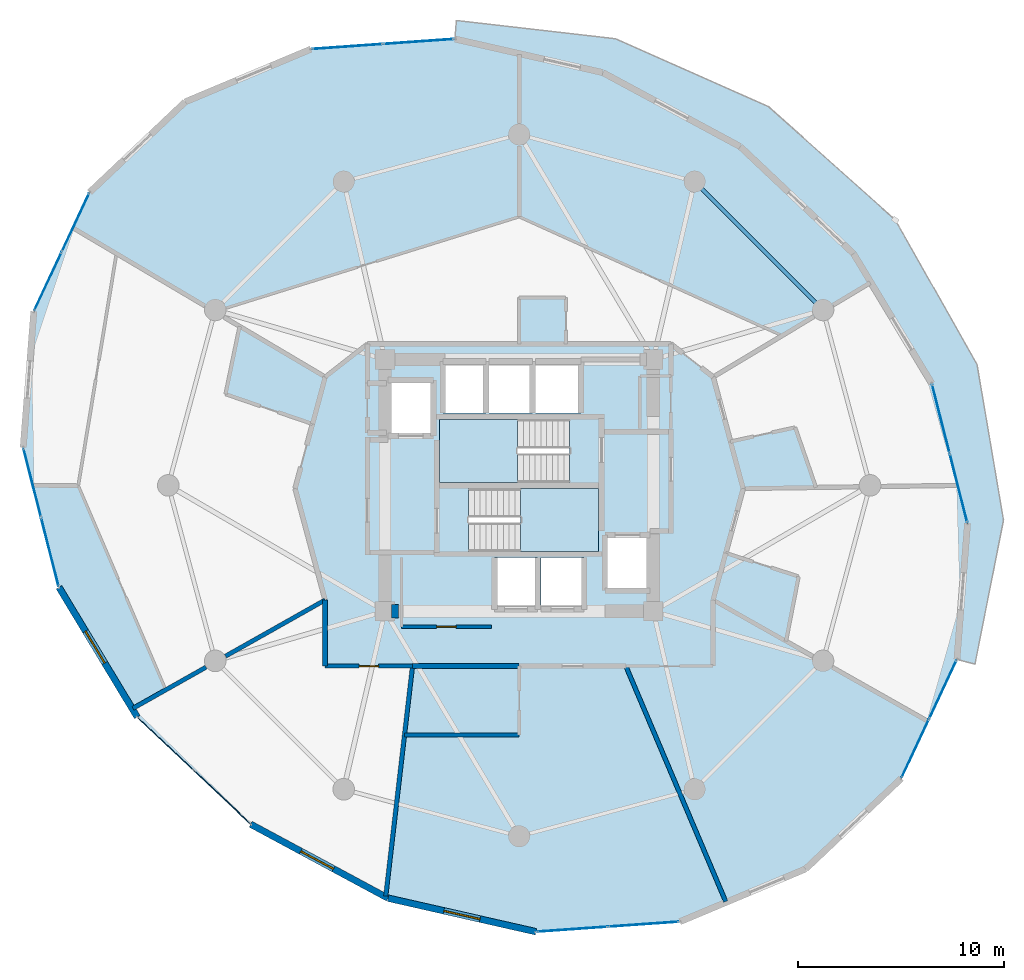
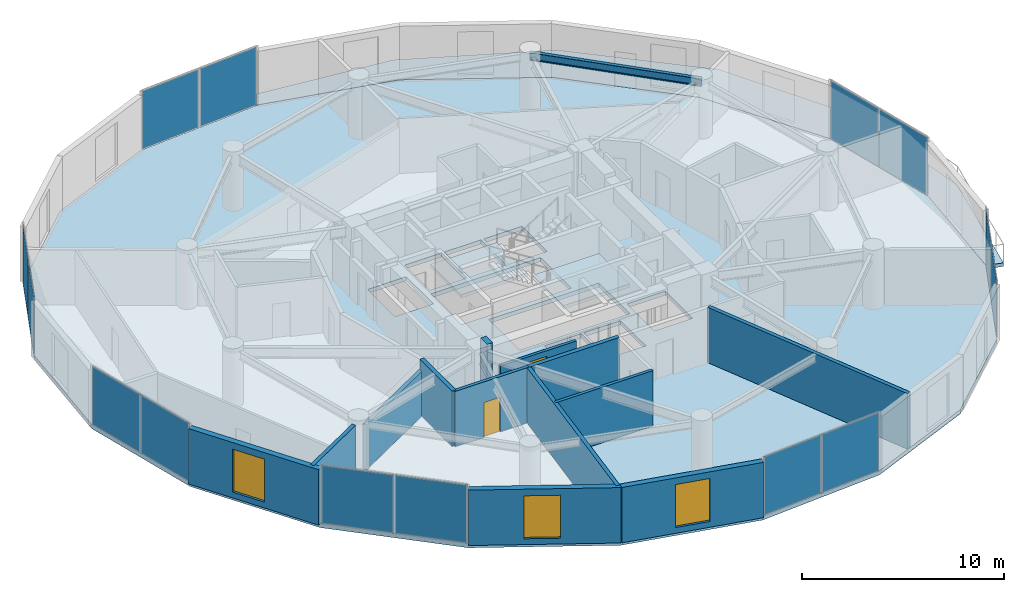
# One storey, part 19 of 25: 14 plates, 13 walls, 4 slabs, 3 windows, 2 doors, 1 beam, 5 openings, 9 elements without a shape of their own.
"""IFC4 building model written with IfcOpenShell, lengths in metres."""

from ifc_helpers import new_model, si_unit, direction, frame, frame_2d, origin, origin_2d, place, context, subcontext, project, spatial, polyline, rectangle, i_section, outline, extrude, source, transform, mapped, material, layer, layer_set, material_profile, profile_set, type_object, element, fill, aggregate, save


model = new_model("IFC4")

# Units and contexts
model_context = context("Model", 3, precision=1e-05, world=origin(), true_north=direction((0.0, 1.0)))
body_context = subcontext(model_context, "Body", "Model", "MODEL_VIEW")
ifc_project = project(units=[si_unit("LENGTHUNIT", "METRE"), si_unit("AREAUNIT", "SQUARE_METRE"), si_unit("VOLUMEUNIT", "CUBIC_METRE"), si_unit("PLANEANGLEUNIT", "RADIAN"), si_unit("MASSUNIT", "GRAM", prefix="KILO")], contexts=[model_context])

# Site, building, storey
site_placement = place(None, origin())
site = spatial("IfcSite", under=ifc_project, at=site_placement, CompositionType="ELEMENT")
building_placement = place(site_placement, origin())
building = spatial("IfcBuilding", under=site, at=building_placement, Name="Solvirekh Grand Hotel", CompositionType="ELEMENT")
storey_placement = place(building_placement, frame((0.0, 0.0, 120.60009765625)))
storey = spatial("IfcBuildingStorey", under=building, at=storey_placement, Name="L30", CompositionType="ELEMENT", Elevation=120.60009765625)

# Beam
ifc_material_1 = material(Name="Steel S355", Category="steel")
ifc_material_profile = material_profile(ifc_material_1, i_section(OverallWidth=0.18994140625, OverallDepth=0.45703125, WebThickness=0.009033203125, FlangeThickness=0.013916015625, FilletRadius=0.012939453125, at=origin_2d()), Name="W460X74")
ifc_profile_set = profile_set([ifc_material_profile], Name="Steel S355")
beam_type = type_object("IfcBeamType", Name="Spandrel_Ring_W460", PredefinedType="SPANDREL", material=ifc_profile_set)
beam_placement = place(storey_placement, frame((14.721923828125, 8.5, 3.121826171875), z_axis=(-0.707106781187, 0.707106781187, 0.0), x_axis=(-0.707106781187, -0.707106781187, 0.0)))
element("IfcBeam", 1, at=beam_placement, inside=storey, type_object=beam_type, Name="L30 perimeter spandrel beam 2", PredefinedType="SPANDREL", context=body_context, shape_type="SweptSolid", body=[
    extrude(i_section(OverallWidth=0.18994140625, OverallDepth=0.45703125, WebThickness=0.009033203125, FlangeThickness=0.013916015625, FilletRadius=0.012939453125, at=origin_2d()), origin(), (0.0, 0.0, 1.0), 8.799072265625),
])

# Slab
ifc_material_2 = material(Name="Concrete C50/60", Category="concrete")
ifc_layer_1 = layer(ifc_material_2, 0.215087890625)
ifc_layer_set_1 = layer_set([ifc_layer_1], Name="Concrete C50/60")
slab_type_1 = type_object("IfcSlabType", Name="ExtCrescentBalc_215", PredefinedType="FLOOR", material=ifc_layer_set_1)
slab_1_placement = place(storey_placement, frame((0.0, 0.0, -0.215087890625)))
element("IfcSlab", 2, at=slab_1_placement, inside=storey, type_object=slab_type_1, Name="L30 sweeping crescent balcony slab", PredefinedType="FLOOR", context=body_context, shape_type="SweptSolid", body=[
    extrude(outline(polyline([(22.0810546875, -8.657958984375), (23.466064453125, -1.679931640625), (22.181884765625, 5.85791015625), (18.221923828125, 12.860107421875), (12.095947265625, 18.339111328125), (4.6689453125, 21.637939453125), (-3.0400390625, 22.52392578125), (-3.113037109375, 21.626953125), (4.052001953125, 20.0), (10.70703125, 16.416015625), (16.200927734375, 11.22509765625), (19.9970703125, 4.93505859375), (21.722900390625, -1.837890625), (21.2099609375, -8.430908203125), (22.0810546875, -8.657958984375)])), origin(), (0.0, 0.0, 1.0), 0.215087890625),
])

# Stair, slab
ifc_material_3 = material(Name="Concrete C40/50", Category="concrete")
stair_type = type_object("IfcStairType", Name="Stair_Core_1450", PredefinedType="HALF_TURN_STAIR", material=ifc_material_3)
stair_1_placement = place(storey_placement, origin())
stair_1 = element("IfcStair", 3, at=stair_1_placement, inside=storey, type_object=stair_type, Name="L30 Enclosed exit stair ST-1", PredefinedType="HALF_TURN_STAIR")
ifc_layer_2 = layer(ifc_material_3, 0.199951171875)
ifc_layer_set_2 = layer_set([ifc_layer_2], Name="Concrete C40/50")
slab_type_2 = type_object("IfcSlabType", Name="Landing_Stair_200", PredefinedType="LANDING", material=ifc_layer_set_2)
slab_2_placement = place(storey_placement, frame((0.0, 0.0, 1.599853515625)))
slab_2 = element("IfcSlab", 4, at=slab_2_placement, type_object=slab_type_2, Name="ST-1 landing 1", PredefinedType="LANDING", context=body_context, shape_type="SweptSolid", body=[
    extrude(outline(polyline([(0.070068359375, -3.199951171875), (3.85009765625, -3.199951171875), (3.85009765625, -0.14990234375), (0.070068359375, -0.14990234375), (0.070068359375, -3.199951171875)])), origin(), (0.0, 0.0, 1.0), 0.199951171875),
])
aggregate(stair_1, [slab_2])

stair_2_placement = place(storey_placement, origin())
stair_2 = element("IfcStair", 5, at=stair_2_placement, inside=storey, type_object=stair_type, Name="L30 Enclosed exit stair ST-2", PredefinedType="HALF_TURN_STAIR")
slab_3_placement = place(storey_placement, frame((0.0, 0.0, 1.599853515625)))
slab_3 = element("IfcSlab", 6, at=slab_3_placement, type_object=slab_type_2, Name="ST-2 landing 1", PredefinedType="LANDING", context=body_context, shape_type="SweptSolid", body=[
    extrude(outline(polyline([(-0.070068359375, 3.199951171875), (-3.85009765625, 3.199951171875), (-3.85009765625, 0.14990234375), (-0.070068359375, 0.14990234375), (-0.070068359375, 3.199951171875)])), origin(), (0.0, 0.0, 1.0), 0.199951171875),
])
aggregate(stair_2, [slab_3])

# Slab
ifc_layer_3 = layer(ifc_material_2, 0.25)
ifc_layer_set_3 = layer_set([ifc_layer_3], Name="Concrete C50/60")
slab_type_3 = type_object("IfcSlabType", Name="Slab_GuestZ2_250", PredefinedType="FLOOR", material=ifc_layer_set_3)
slab_4_placement = place(storey_placement, frame((0.0, 0.0, -0.25)))
element("IfcSlab", 7, at=slab_4_placement, inside=storey, type_object=slab_type_3, Name="L30 structural floor slab", PredefinedType="FLOOR", context=body_context, shape_type="SweptSolid", body=[
    extrude(outline(polyline([(18.508056640625, -14.198974609375), (21.2099609375, -8.430908203125), (21.722900390625, -1.837890625), (19.9970703125, 4.93505859375), (16.200927734375, 11.22509765625), (10.70703125, 16.416015625), (4.052001953125, 20.0), (-3.113037109375, 21.626953125), (-10.0849609375, 21.135986328125), (-16.181884765625, 18.576904296875), (-20.80810546875, 14.198974609375), (-23.510009765625, 8.430908203125), (-24.02294921875, 1.837890625), (-22.297119140625, -4.93505859375), (-18.5009765625, -11.22509765625), (-13.007080078125, -16.416015625), (-6.35205078125, -20.0), (0.81298828125, -21.626953125), (7.784912109375, -21.135986328125), (13.882080078125, -18.576904296875), (18.508056640625, -14.198974609375)]), holes=[polyline([(-2.444091796875, -0.14990234375), (3.85009765625, -0.14990234375), (3.85009765625, -3.199951171875), (-2.444091796875, -3.199951171875), (-2.444091796875, -0.14990234375)]), polyline([(2.444091796875, 0.14990234375), (-3.85009765625, 0.14990234375), (-3.85009765625, 3.199951171875), (2.444091796875, 3.199951171875), (2.444091796875, 0.14990234375)]), polyline([(-1.199951171875, -3.5), (0.89990234375, -3.5), (0.89990234375, -6.0), (-1.199951171875, -6.0), (-1.199951171875, -3.5)]), polyline([(1.050048828125, -3.5), (3.14990234375, -3.5), (3.14990234375, -6.0), (1.050048828125, -6.0), (1.050048828125, -3.5)]), polyline([(-3.699951171875, 6.0), (-1.60009765625, 6.0), (-1.60009765625, 3.5), (-3.699951171875, 3.5), (-3.699951171875, 6.0)]), polyline([(-1.449951171875, 6.0), (0.64990234375, 6.0), (0.64990234375, 3.5), (-1.449951171875, 3.5), (-1.449951171875, 6.0)]), polyline([(0.800048828125, 6.0), (3.0, 6.0), (3.0, 3.5), (0.800048828125, 3.5), (0.800048828125, 6.0)]), polyline([(-6.35009765625, 5.10009765625), (-4.14990234375, 5.10009765625), (-4.14990234375, 2.39990234375), (-6.35009765625, 2.39990234375), (-6.35009765625, 5.10009765625)]), polyline([(4.14990234375, -2.39990234375), (6.35009765625, -2.39990234375), (6.35009765625, -5.10009765625), (4.14990234375, -5.10009765625), (4.14990234375, -2.39990234375)])]), origin(), (0.0, 0.0, 1.0), 0.25),
])

# Curtain wall, plates
ifc_material_4 = material(Name="Anodized Bronze Aluminium 6063-T6", Category="aluminium")
ifc_layer_4 = layer(ifc_material_4, 0.175048828125)
ifc_layer_set_4 = layer_set([ifc_layer_4], Name="Anodized Bronze Aluminium 6063-T6")
curtain_wall_type = type_object("IfcCurtainWallType", Name="CW_Sys3_MidZoneFlushBronzeCW", PredefinedType="NOTDEFINED", material=ifc_layer_set_4)
curtain_wall_1_placement = place(storey_placement, origin())
curtain_wall_1 = element("IfcCurtainWall", 8, at=curtain_wall_1_placement, inside=storey, type_object=curtain_wall_type, Name="L30 unitised bronze-glass curtain wall CW-L30-C01", PredefinedType="NOTDEFINED")
ifc_material_5 = material(Name="Low-E Tinted Bronze Laminated Glass", Category="aluminium")
ifc_layer_5 = layer(ifc_material_5, 0.035888671875)
ifc_layer_set_5 = layer_set([ifc_layer_5], Name="Low-E Tinted Bronze Laminated Glass")
plate_type = type_object("IfcPlateType", Name="CWPanel_Mid_36", PredefinedType="CURTAIN_PANEL", material=ifc_layer_set_5)
shared_shape_1 = source(origin(), body_context, "Body", "SweptSolid", [
    extrude(rectangle(XDim=3.087158203125, YDim=0.035888671875, at=origin_2d()), origin(), (0.0, 0.0, 1.0), 3.489990234375),
])
plate_1_placement = place(storey_placement, frame((19.1904296875, -12.7421875, 0.0546875), z_axis=(0.0, 0.0, 1.0), x_axis=(0.424208610562, 0.905564495067, 0.0)))
plate_1 = element("IfcPlate", 9, at=plate_1_placement, type_object=plate_type, Name="U03 panel 1.1", PredefinedType="CURTAIN_PANEL", context=body_context, shape_type="MappedRepresentation", body=[
    mapped(shared_shape_1, transform((0.0, 0.0, 0.0), x_axis=(1.0, 0.0, 0.0), y_axis=(0.0, 1.0, 0.0), z_axis=(0.0, 0.0, 1.0), scale=1.0)),
])
plate_2_placement = place(storey_placement, frame((20.527587890625, -9.8876953125, 0.0546875), z_axis=(0.0, 0.0, 1.0), x_axis=(0.424208610562, 0.905564495067, 0.0)))
plate_2 = element("IfcPlate", 10, at=plate_2_placement, type_object=plate_type, Name="U03 panel 2.1", PredefinedType="CURTAIN_PANEL", context=body_context, shape_type="MappedRepresentation", body=[
    mapped(shared_shape_1, transform((0.0, 0.0, 0.0), x_axis=(1.0, 0.0, 0.0), y_axis=(0.0, 1.0, 0.0), z_axis=(0.0, 0.0, 1.0), scale=1.0)),
])
aggregate(curtain_wall_1, [plate_1, plate_2])

curtain_wall_2_placement = place(storey_placement, origin())
curtain_wall_2 = element("IfcCurtainWall", 11, at=curtain_wall_2_placement, inside=storey, type_object=curtain_wall_type, Name="L30 unitised bronze-glass curtain wall CW-L30-C11", PredefinedType="NOTDEFINED")
plate_3_placement = place(storey_placement, frame((-21.490478515625, 12.7421875, 0.0546875), z_axis=(0.0, 0.0, 1.0), x_axis=(-0.424208610562, -0.905564495067, 0.0)))
plate_3 = element("IfcPlate", 12, at=plate_3_placement, type_object=plate_type, Name="U03 panel 1.1", PredefinedType="CURTAIN_PANEL", context=body_context, shape_type="MappedRepresentation", body=[
    mapped(shared_shape_1, transform((0.0, 0.0, 0.0), x_axis=(1.0, 0.0, 0.0), y_axis=(0.0, 1.0, 0.0), z_axis=(0.0, 0.0, 1.0), scale=1.0)),
])
plate_4_placement = place(storey_placement, frame((-22.82763671875, 9.8876953125, 0.0546875), z_axis=(0.0, 0.0, 1.0), x_axis=(-0.424208610562, -0.905564495067, 0.0)))
plate_4 = element("IfcPlate", 13, at=plate_4_placement, type_object=plate_type, Name="U03 panel 2.1", PredefinedType="CURTAIN_PANEL", context=body_context, shape_type="MappedRepresentation", body=[
    mapped(shared_shape_1, transform((0.0, 0.0, 0.0), x_axis=(1.0, 0.0, 0.0), y_axis=(0.0, 1.0, 0.0), z_axis=(0.0, 0.0, 1.0), scale=1.0)),
])
aggregate(curtain_wall_2, [plate_3, plate_4])

curtain_wall_3_placement = place(storey_placement, origin())
curtain_wall_3 = element("IfcCurtainWall", 14, at=curtain_wall_3_placement, inside=storey, type_object=curtain_wall_type, Name="L30 unitised bronze-glass curtain wall CW-L30-C03", PredefinedType="NOTDEFINED")
shared_shape_2 = source(origin(), body_context, "Body", "SweptSolid", [
    extrude(rectangle(XDim=3.397216796875, YDim=0.035888671875, at=origin_2d()), origin(), (0.0, 0.0, 1.0), 3.489990234375),
])
plate_5_placement = place(storey_placement, frame((21.28759765625, -0.12890625, 0.0546875), z_axis=(0.0, 0.0, 1.0), x_axis=(-0.24694311831, 0.969029976997, 0.0)))
plate_5 = element("IfcPlate", 15, at=plate_5_placement, type_object=plate_type, Name="U03 panel 1.1", PredefinedType="CURTAIN_PANEL", context=body_context, shape_type="MappedRepresentation", body=[
    mapped(shared_shape_2, transform((0.0, 0.0, 0.0), x_axis=(1.0, 0.0, 0.0), y_axis=(0.0, 1.0, 0.0), z_axis=(0.0, 0.0, 1.0), scale=1.0)),
])
plate_6_placement = place(storey_placement, frame((20.4326171875, 3.22607421875, 0.0546875), z_axis=(0.0, 0.0, 1.0), x_axis=(-0.24694311831, 0.969029976997, 0.0)))
plate_6 = element("IfcPlate", 16, at=plate_6_placement, type_object=plate_type, Name="U03 panel 2.1", PredefinedType="CURTAIN_PANEL", context=body_context, shape_type="MappedRepresentation", body=[
    mapped(shared_shape_2, transform((0.0, 0.0, 0.0), x_axis=(1.0, 0.0, 0.0), y_axis=(0.0, 1.0, 0.0), z_axis=(0.0, 0.0, 1.0), scale=1.0)),
])
aggregate(curtain_wall_3, [plate_5, plate_6])

curtain_wall_4_placement = place(storey_placement, origin())
curtain_wall_4 = element("IfcCurtainWall", 17, at=curtain_wall_4_placement, inside=storey, type_object=curtain_wall_type, Name="L30 unitised bronze-glass curtain wall CW-L30-C08", PredefinedType="NOTDEFINED")
plate_7_placement = place(storey_placement, frame((-4.872314453125, 21.503173828125, 0.0546875), z_axis=(0.0, 0.0, 1.0), x_axis=(-0.99752937722, -0.070250562862, 0.0)))
plate_7 = element("IfcPlate", 18, at=plate_7_placement, type_object=plate_type, Name="U03 panel 1.1", PredefinedType="CURTAIN_PANEL", context=body_context, shape_type="MappedRepresentation", body=[
    mapped(shared_shape_2, transform((0.0, 0.0, 0.0), x_axis=(1.0, 0.0, 0.0), y_axis=(0.0, 1.0, 0.0), z_axis=(0.0, 0.0, 1.0), scale=1.0)),
])
plate_8_placement = place(storey_placement, frame((-8.32568359375, 21.260009765625, 0.0546875), z_axis=(0.0, 0.0, 1.0), x_axis=(-0.99752937722, -0.070250562862, 0.0)))
plate_8 = element("IfcPlate", 19, at=plate_8_placement, type_object=plate_type, Name="U03 panel 2.1", PredefinedType="CURTAIN_PANEL", context=body_context, shape_type="MappedRepresentation", body=[
    mapped(shared_shape_2, transform((0.0, 0.0, 0.0), x_axis=(1.0, 0.0, 0.0), y_axis=(0.0, 1.0, 0.0), z_axis=(0.0, 0.0, 1.0), scale=1.0)),
])
aggregate(curtain_wall_4, [plate_7, plate_8])

curtain_wall_5_placement = place(storey_placement, origin())
curtain_wall_5 = element("IfcCurtainWall", 20, at=curtain_wall_5_placement, inside=storey, type_object=curtain_wall_type, Name="L30 unitised bronze-glass curtain wall CW-L30-C13", PredefinedType="NOTDEFINED")
plate_9_placement = place(storey_placement, frame((-23.58740234375, 0.12890625, 0.0546875), z_axis=(0.0, 0.0, 1.0), x_axis=(0.24694311831, -0.969029976997, 0.0)))
plate_9 = element("IfcPlate", 21, at=plate_9_placement, type_object=plate_type, Name="U03 panel 1.1", PredefinedType="CURTAIN_PANEL", context=body_context, shape_type="MappedRepresentation", body=[
    mapped(shared_shape_2, transform((0.0, 0.0, 0.0), x_axis=(1.0, 0.0, 0.0), y_axis=(0.0, 1.0, 0.0), z_axis=(0.0, 0.0, 1.0), scale=1.0)),
])
plate_10_placement = place(storey_placement, frame((-22.732421875, -3.22607421875, 0.0546875), z_axis=(0.0, 0.0, 1.0), x_axis=(0.24694311831, -0.969029976997, 0.0)))
plate_10 = element("IfcPlate", 22, at=plate_10_placement, type_object=plate_type, Name="U03 panel 2.1", PredefinedType="CURTAIN_PANEL", context=body_context, shape_type="MappedRepresentation", body=[
    mapped(shared_shape_2, transform((0.0, 0.0, 0.0), x_axis=(1.0, 0.0, 0.0), y_axis=(0.0, 1.0, 0.0), z_axis=(0.0, 0.0, 1.0), scale=1.0)),
])
aggregate(curtain_wall_5, [plate_9, plate_10])

curtain_wall_6_placement = place(storey_placement, origin())
curtain_wall_6 = element("IfcCurtainWall", 23, at=curtain_wall_6_placement, inside=storey, type_object=curtain_wall_type, Name="L30 unitised bronze-glass curtain wall CW-L30-C18", PredefinedType="NOTDEFINED")
plate_11_placement = place(storey_placement, frame((2.572265625, -21.503173828125, 0.0546875), z_axis=(0.0, 0.0, 1.0), x_axis=(0.99752937722, 0.070250562862, 0.0)))
plate_11 = element("IfcPlate", 24, at=plate_11_placement, type_object=plate_type, Name="U03 panel 1.1", PredefinedType="CURTAIN_PANEL", context=body_context, shape_type="MappedRepresentation", body=[
    mapped(shared_shape_2, transform((0.0, 0.0, 0.0), x_axis=(1.0, 0.0, 0.0), y_axis=(0.0, 1.0, 0.0), z_axis=(0.0, 0.0, 1.0), scale=1.0)),
])
plate_12_placement = place(storey_placement, frame((6.02587890625, -21.260009765625, 0.0546875), z_axis=(0.0, 0.0, 1.0), x_axis=(0.99752937722, 0.070250562862, 0.0)))
plate_12 = element("IfcPlate", 25, at=plate_12_placement, type_object=plate_type, Name="U03 panel 2.1", PredefinedType="CURTAIN_PANEL", context=body_context, shape_type="MappedRepresentation", body=[
    mapped(shared_shape_2, transform((0.0, 0.0, 0.0), x_axis=(1.0, 0.0, 0.0), y_axis=(0.0, 1.0, 0.0), z_axis=(0.0, 0.0, 1.0), scale=1.0)),
])
aggregate(curtain_wall_6, [plate_11, plate_12])

curtain_wall_7_placement = place(storey_placement, origin())
curtain_wall_7 = element("IfcCurtainWall", 26, at=curtain_wall_7_placement, inside=storey, type_object=curtain_wall_type, Name="L30 unitised bronze-glass curtain wall CW-L30-C15", PredefinedType="NOTDEFINED")
shared_shape_3 = source(origin(), body_context, "Body", "SweptSolid", [
    extrude(rectangle(XDim=3.681640625, YDim=0.035888671875, at=origin_2d()), origin(), (0.0, 0.0, 1.0), 3.489990234375),
])
plate_13_placement = place(storey_placement, frame((-17.11572265625, -12.533935546875, 0.0546875), z_axis=(0.0, 0.0, 1.0), x_axis=(0.72686637369, -0.686778912605, 0.0)))
plate_13 = element("IfcPlate", 27, at=plate_13_placement, type_object=plate_type, Name="U03 panel 1.1", PredefinedType="CURTAIN_PANEL", context=body_context, shape_type="MappedRepresentation", body=[
    mapped(shared_shape_3, transform((0.0, 0.0, 0.0), x_axis=(1.0, 0.0, 0.0), y_axis=(0.0, 1.0, 0.0), z_axis=(0.0, 0.0, 1.0), scale=1.0)),
])
plate_14_placement = place(storey_placement, frame((-14.392333984375, -15.107177734375, 0.0546875), z_axis=(0.0, 0.0, 1.0), x_axis=(0.72686637369, -0.686778912605, 0.0)))
plate_14 = element("IfcPlate", 28, at=plate_14_placement, type_object=plate_type, Name="U03 panel 2.1", PredefinedType="CURTAIN_PANEL", context=body_context, shape_type="MappedRepresentation", body=[
    mapped(shared_shape_3, transform((0.0, 0.0, 0.0), x_axis=(1.0, 0.0, 0.0), y_axis=(0.0, 1.0, 0.0), z_axis=(0.0, 0.0, 1.0), scale=1.0)),
])
aggregate(curtain_wall_7, [plate_13, plate_14])

# Wall
ifc_layer_6 = layer(ifc_material_2, 0.64990234375)
ifc_layer_set_6 = layer_set([ifc_layer_6], Name="Concrete C50/60")
wall_type_1 = type_object("IfcWallType", Name="CoreWall_RC650", PredefinedType="SHEAR", material=ifc_layer_set_6)
wall_1_placement = place(storey_placement, frame((-6.175048828125, -6.10009765625, 0.0), z_axis=(0.0, 0.0, 1.0), x_axis=(1.0, 0.0, 0.0)))
element("IfcWall", 29, at=wall_1_placement, inside=storey, type_object=wall_type_1, Name="L30 core corner shear wall SW-S", PredefinedType="SHEAR", context=body_context, shape_type="SweptSolid", body=[
    extrude(rectangle(XDim=0.324951171875, YDim=0.64990234375, at=frame_2d((0.16259765625, 0.0))), origin(), (0.0, 0.0, 1.0), 3.599853515625),
])

# Wall, opening, window
ifc_material_6 = material(Name="Precast concrete C45/55", Category="concrete")
ifc_layer_7 = layer(ifc_material_6, 0.320068359375)
ifc_layer_set_7 = layer_set([ifc_layer_7], Name="Precast concrete C45/55")
wall_type_2 = type_object("IfcWallType", Name="ExtLobbyWall_RC320", PredefinedType="SOLIDWALL", material=ifc_layer_set_7)
wall_2_placement = place(storey_placement, frame((-18.5009765625, -11.22509765625, 0.0), z_axis=(0.0, 0.0, 1.0), x_axis=(-0.516707807554, 0.856161808079, 0.0)))
wall_2 = element("IfcWall", 30, at=wall_2_placement, inside=storey, type_object=wall_type_2, Name="L30 exterior structural wall chord 14", PredefinedType="SOLIDWALL", context=body_context, shape_type="SweptSolid", body=[
    extrude(rectangle(XDim=7.3466796875, YDim=0.320068359375, at=frame_2d((3.67333984375, 0.0))), origin(), (0.0, 0.0, 1.0), 3.349853515625),
])
opening_1_placement = place(wall_2_placement, frame((3.05810546875, 0.0, 0.35009765625)))
opening_1 = element("IfcOpeningElement", 31, at=opening_1_placement, cuts=wall_2, Name="Opening W02", PredefinedType="OPENING", context=body_context, shape_type="SweptSolid", body=[
    extrude(rectangle(XDim=1.800048828125, YDim=2.60009765625, at=frame_2d((0.89990234375, 1.300048828125))), frame((0.0, 0.169921875, 0.0), z_axis=(0.0, -1.0, 0.0), x_axis=(1.0, 0.0, 0.0)), (0.0, 0.0, 1.0), 0.340087890625),
])
window_type = type_object("IfcWindowType", Name="Win_LobbyExt_1800X2600", PartitioningType="SINGLE_PANEL", PredefinedType="WINDOW", material=ifc_material_5)
window_1_placement = place(opening_1_placement, origin())
window_1 = element("IfcWindow", 32, at=window_1_placement, inside=storey, type_object=window_type, Name="L30 panoramic bronze-framed window 14", OverallHeight=2.60009765625, OverallWidth=1.800048828125, PartitioningType="SINGLE_PANEL", PredefinedType="WINDOW", context=body_context, shape_type="SweptSolid", body=[
    extrude(rectangle(XDim=1.800048828125, YDim=2.60009765625, at=frame_2d((0.89990234375, 1.300048828125))), frame((0.0, 0.030029296875, 0.0), z_axis=(0.0, -1.0, 0.0), x_axis=(1.0, 0.0, 0.0)), (0.0, 0.0, 1.0), 0.06005859375),
])
fill(opening_1, window_1)

wall_3_placement = place(storey_placement, frame((-6.35205078125, -20.0, 0.0), z_axis=(0.0, 0.0, 1.0), x_axis=(-0.880443095894, 0.474151826836, 0.0)))
wall_3 = element("IfcWall", 33, at=wall_3_placement, inside=storey, type_object=wall_type_2, Name="L30 exterior structural wall chord 16", PredefinedType="SOLIDWALL", context=body_context, shape_type="SweptSolid", body=[
    extrude(rectangle(XDim=7.558837890625, YDim=0.320068359375, at=frame_2d((3.779296875, 0.0))), origin(), (0.0, 0.0, 1.0), 3.349853515625),
])
opening_2_placement = place(wall_3_placement, frame((3.00390625, 0.0, 0.35009765625)))
opening_2 = element("IfcOpeningElement", 34, at=opening_2_placement, cuts=wall_3, Name="Opening W02", PredefinedType="OPENING", context=body_context, shape_type="SweptSolid", body=[
    extrude(rectangle(XDim=1.800048828125, YDim=2.60009765625, at=frame_2d((0.89990234375, 1.300048828125))), frame((0.0, 0.169921875, 0.0), z_axis=(0.0, -1.0, 0.0), x_axis=(1.0, 0.0, 0.0)), (0.0, 0.0, 1.0), 0.340087890625),
])
window_2_placement = place(opening_2_placement, origin())
window_2 = element("IfcWindow", 35, at=window_2_placement, inside=storey, type_object=window_type, Name="L30 panoramic bronze-framed window 16", OverallHeight=2.60009765625, OverallWidth=1.800048828125, PartitioningType="SINGLE_PANEL", PredefinedType="WINDOW", context=body_context, shape_type="SweptSolid", body=[
    extrude(rectangle(XDim=1.800048828125, YDim=2.60009765625, at=frame_2d((0.89990234375, 1.300048828125))), frame((0.0, 0.030029296875, 0.0), z_axis=(0.0, -1.0, 0.0), x_axis=(1.0, 0.0, 0.0)), (0.0, 0.0, 1.0), 0.06005859375),
])
fill(opening_2, window_2)

wall_4_placement = place(storey_placement, frame((0.81298828125, -21.626953125, 0.0), z_axis=(0.0, 0.0, 1.0), x_axis=(-0.975175922812, 0.22143152343, 0.0)))
wall_4 = element("IfcWall", 36, at=wall_4_placement, inside=storey, type_object=wall_type_2, Name="L30 exterior structural wall chord 17", PredefinedType="SOLIDWALL", context=body_context, shape_type="SweptSolid", body=[
    extrude(rectangle(XDim=7.347412109375, YDim=0.320068359375, at=frame_2d((3.673828125, 0.0))), origin(), (0.0, 0.0, 1.0), 3.349853515625),
])
opening_3_placement = place(wall_4_placement, frame((2.77392578125, 0.0, 0.35009765625)))
opening_3 = element("IfcOpeningElement", 37, at=opening_3_placement, cuts=wall_4, Name="Opening W02", PredefinedType="OPENING", context=body_context, shape_type="SweptSolid", body=[
    extrude(rectangle(XDim=1.800048828125, YDim=2.60009765625, at=frame_2d((0.89990234375, 1.300048828125))), frame((0.0, 0.169921875, 0.0), z_axis=(0.0, -1.0, 0.0), x_axis=(1.0, 0.0, 0.0)), (0.0, 0.0, 1.0), 0.340087890625),
])
window_3_placement = place(opening_3_placement, origin())
window_3 = element("IfcWindow", 38, at=window_3_placement, inside=storey, type_object=window_type, Name="L30 panoramic bronze-framed window 17", OverallHeight=2.60009765625, OverallWidth=1.800048828125, PartitioningType="SINGLE_PANEL", PredefinedType="WINDOW", context=body_context, shape_type="SweptSolid", body=[
    extrude(rectangle(XDim=1.800048828125, YDim=2.60009765625, at=frame_2d((0.89990234375, 1.300048828125))), frame((0.0, 0.030029296875, 0.0), z_axis=(0.0, -1.0, 0.0), x_axis=(1.0, 0.0, 0.0)), (0.0, 0.0, 1.0), 0.06005859375),
])
fill(opening_3, window_3)

# Wall, opening, door
ifc_material_7 = material(Name="Acoustic Gypsum Partition Assembly")
ifc_layer_8 = layer(ifc_material_7, 0.1650390625)
ifc_layer_set_8 = layer_set([ifc_layer_8], Name="Acoustic Gypsum Partition Assembly")
wall_type_3 = type_object("IfcWallType", Name="Part_BOH_165", PredefinedType="PARTITIONING", material=ifc_layer_set_8)
wall_5_placement = place(storey_placement, frame((-5.699951171875, -6.85009765625, 0.0), z_axis=(0.0, 0.0, 1.0), x_axis=(1.0, 0.0, 0.0)))
wall_5 = element("IfcWall", 39, at=wall_5_placement, inside=storey, type_object=wall_type_3, Name="L30 Mid-Zone Housekeeping Linen Room wall 1", PredefinedType="PARTITIONING", context=body_context, shape_type="SweptSolid", body=[
    extrude(rectangle(XDim=4.349853515625, YDim=0.1650390625, at=frame_2d((2.1748046875, 0.0))), origin(), (0.0, 0.0, 1.0), 2.434814453125),
])
opening_4_placement = place(wall_5_placement, frame((1.699951171875, 0.0, 0.0)))
opening_4 = element("IfcOpeningElement", 40, at=opening_4_placement, cuts=wall_5, Name="Opening D10", PredefinedType="OPENING", context=body_context, shape_type="SweptSolid", body=[
    extrude(rectangle(XDim=0.949951171875, YDim=2.10009765625, at=frame_2d((0.47509765625, 1.050048828125))), frame((0.0, 0.092529296875, 0.0), z_axis=(0.0, -1.0, 0.0), x_axis=(1.0, 0.0, 0.0)), (0.0, 0.0, 1.0), 0.18505859375),
])
door_type = type_object("IfcDoorType", Name="Door_RoomInt_950X2100", OperationType="NOTDEFINED", PredefinedType="DOOR", material=ifc_material_4)
door_1_placement = place(opening_4_placement, origin())
door_1 = element("IfcDoor", 41, at=door_1_placement, inside=storey, type_object=door_type, Name="L30 Mid-Zone Housekeeping Linen Room door", OperationType="SINGLE_SWING_RIGHT", OverallHeight=2.10009765625, OverallWidth=0.949951171875, PredefinedType="DOOR", context=body_context, shape_type="SweptSolid", body=[
    extrude(rectangle(XDim=0.949951171875, YDim=2.10009765625, at=frame_2d((0.47509765625, 1.050048828125))), frame((0.0, 0.02490234375, 0.0), z_axis=(0.0, -1.0, 0.0), x_axis=(1.0, 0.0, 0.0)), (0.0, 0.0, 1.0), 0.050048828125),
])
fill(opening_4, door_1)

# Walls
ifc_layer_9 = layer(ifc_material_7, 0.239990234375)
ifc_layer_set_9 = layer_set([ifc_layer_9], Name="Acoustic Gypsum Partition Assembly")
wall_type_4 = type_object("IfcWallType", Name="Part_Corridor_240", PredefinedType="PARTITIONING", material=ifc_layer_set_9)
wall_6_placement = place(storey_placement, frame((-9.39599609375, -5.550048828125, 0.0), z_axis=(0.0, 0.0, 1.0), x_axis=(0.0, -1.0, 0.0)))
element("IfcWall", 42, at=wall_6_placement, inside=storey, type_object=wall_type_4, Name="L30 L30 Wellness Hydro Lounge corridor wall 1", PredefinedType="PARTITIONING", context=body_context, shape_type="SweptSolid", body=[
    extrude(rectangle(XDim=3.199951171875, YDim=0.239990234375, at=frame_2d((1.60009765625, 0.0))), origin(), (0.0, 0.0, 1.0), 3.349853515625),
])
wall_7_placement = place(storey_placement, frame((-5.16796875, -8.75, 0.0), z_axis=(0.0, 0.0, 1.0), x_axis=(1.0, 0.0, 0.0)))
element("IfcWall", 43, at=wall_7_placement, inside=storey, type_object=wall_type_4, Name="L30 En-suite Bathroom 3205 corridor backing wall", PredefinedType="PARTITIONING", context=body_context, shape_type="SweptSolid", body=[
    extrude(rectangle(XDim=5.16796875, YDim=0.239990234375, at=frame_2d((2.583984375, 0.0))), origin(), (0.0, 0.0, 1.0), 3.349853515625),
])

# Wall, opening, door
ifc_layer_10 = layer(ifc_material_7, 0.18994140625)
ifc_layer_set_10 = layer_set([ifc_layer_10], Name="Acoustic Gypsum Partition Assembly")
wall_type_5 = type_object("IfcWallType", Name="Part_GuestDemise_190", PredefinedType="PARTITIONING", material=ifc_layer_set_10)
wall_8_placement = place(storey_placement, frame((-9.39599609375, -8.75, 0.0), z_axis=(0.0, 0.0, 1.0), x_axis=(1.0, 0.0, 0.0)))
wall_8 = element("IfcWall", 44, at=wall_8_placement, inside=storey, type_object=wall_type_5, Name="L30 L30 Wellness Hydro Lounge entrance wall", PredefinedType="PARTITIONING", context=body_context, shape_type="SweptSolid", body=[
    extrude(rectangle(XDim=4.22802734375, YDim=0.18994140625, at=frame_2d((2.114013671875, 0.0))), origin(), (0.0, 0.0, 1.0), 3.349853515625),
])
opening_5_placement = place(wall_8_placement, frame((1.638916015625, 0.0, 0.0)))
opening_5 = element("IfcOpeningElement", 45, at=opening_5_placement, cuts=wall_8, Name="Opening D10", PredefinedType="OPENING", context=body_context, shape_type="SweptSolid", body=[
    extrude(rectangle(XDim=0.949951171875, YDim=2.10009765625, at=frame_2d((0.47509765625, 1.050048828125))), frame((0.0, 0.10498046875, 0.0), z_axis=(0.0, -1.0, 0.0), x_axis=(1.0, 0.0, 0.0)), (0.0, 0.0, 1.0), 0.2099609375),
])
door_2_placement = place(opening_5_placement, origin())
door_2 = element("IfcDoor", 46, at=door_2_placement, inside=storey, type_object=door_type, Name="L30 L30 Wellness Hydro Lounge entrance door", OperationType="SINGLE_SWING_LEFT", OverallHeight=2.10009765625, OverallWidth=0.949951171875, PredefinedType="DOOR", context=body_context, shape_type="SweptSolid", body=[
    extrude(rectangle(XDim=0.949951171875, YDim=2.10009765625, at=frame_2d((0.47509765625, 1.050048828125))), frame((0.0, 0.02490234375, 0.0), z_axis=(0.0, -1.0, 0.0), x_axis=(1.0, 0.0, 0.0)), (0.0, 0.0, 1.0), 0.050048828125),
])
fill(opening_5, door_2)

# Walls
ifc_layer_11 = layer(ifc_material_7, 0.2099609375)
ifc_layer_set_11 = layer_set([ifc_layer_11], Name="Acoustic Gypsum Partition Assembly")
wall_type_6 = type_object("IfcWallType", Name="Part_SuiteDemise_210", PredefinedType="PARTITIONING", material=ifc_layer_set_11)
wall_9_placement = place(storey_placement, frame((-9.39599609375, -5.550048828125, 0.0), z_axis=(0.0, 0.0, 1.0), x_axis=(-0.871038847926, -0.491214133962, 0.0)))
element("IfcWall", 47, at=wall_9_placement, inside=storey, type_object=wall_type_6, Name="L30 suite radial wall 8 (A)", PredefinedType="PARTITIONING", context=body_context, shape_type="SweptSolid", body=[
    extrude(rectangle(XDim=5.545166015625, YDim=0.2099609375, at=frame_2d((2.7724609375, 0.0))), origin(), (0.0, 0.0, 1.0), 2.718994140625),
])
wall_10_placement = place(storey_placement, frame((-15.172119140625, -8.806884765625, 0.0), z_axis=(0.0, 0.0, 1.0), x_axis=(-0.871040458587, -0.491211277867, 0.0)))
element("IfcWall", 48, at=wall_10_placement, inside=storey, type_object=wall_type_6, Name="L30 suite radial wall 8 (B)", PredefinedType="PARTITIONING", context=body_context, shape_type="SweptSolid", body=[
    extrude(rectangle(XDim=4.0615234375, YDim=0.2099609375, at=frame_2d((2.03076171875, 0.0))), origin(), (0.0, 0.0, 1.0), 3.349853515625),
])
wall_11_placement = place(storey_placement, frame((-5.16796875, -8.75, 0.0), z_axis=(0.0, 0.0, 1.0), x_axis=(-0.115519331372, -0.993305232081, 0.0)))
element("IfcWall", 49, at=wall_11_placement, inside=storey, type_object=wall_type_6, Name="L30 L30 Wellness Hydro Lounge dividing partition 1", PredefinedType="PARTITIONING", context=body_context, shape_type="SweptSolid", body=[
    extrude(rectangle(XDim=11.22021484375, YDim=0.2099609375, at=frame_2d((5.610107421875, 0.0))), origin(), (0.0, 0.0, 1.0), 3.349853515625),
])
wall_12_placement = place(storey_placement, frame((5.16796875, -8.75, 0.0), z_axis=(0.0, 0.0, 1.0), x_axis=(0.390450185433, -0.920624056114, 0.0)))
element("IfcWall", 50, at=wall_12_placement, inside=storey, type_object=wall_type_6, Name="L30 Deluxe Guestroom 3205 dividing partition 1", PredefinedType="PARTITIONING", context=body_context, shape_type="SweptSolid", body=[
    extrude(rectangle(XDim=12.3935546875, YDim=0.2099609375, at=frame_2d((6.19677734375, 0.0))), origin(), (0.0, 0.0, 1.0), 3.349853515625),
])
ifc_layer_12 = layer(ifc_material_7, 0.175048828125)
ifc_layer_set_12 = layer_set([ifc_layer_12], Name="Acoustic Gypsum Partition Assembly")
wall_type_7 = type_object("IfcWallType", Name="Plumb_Ensuite_175", PredefinedType="PLUMBINGWALL", material=ifc_layer_set_12)
wall_13_placement = place(storey_placement, frame((-5.556884765625, -12.093017578125, 0.0), z_axis=(0.0, 0.0, 1.0), x_axis=(1.0, 0.0, 0.0)))
element("IfcWall", 51, at=wall_13_placement, inside=storey, type_object=wall_type_7, Name="L30 En-suite Bathroom 3205 outer plumbing wall", PredefinedType="PLUMBINGWALL", context=body_context, shape_type="SweptSolid", body=[
    extrude(rectangle(XDim=5.556884765625, YDim=0.175048828125, at=frame_2d((2.7783203125, 0.0))), origin(), (0.0, 0.0, 1.0), 3.349853515625),
])

save(model, "model.ifc")
